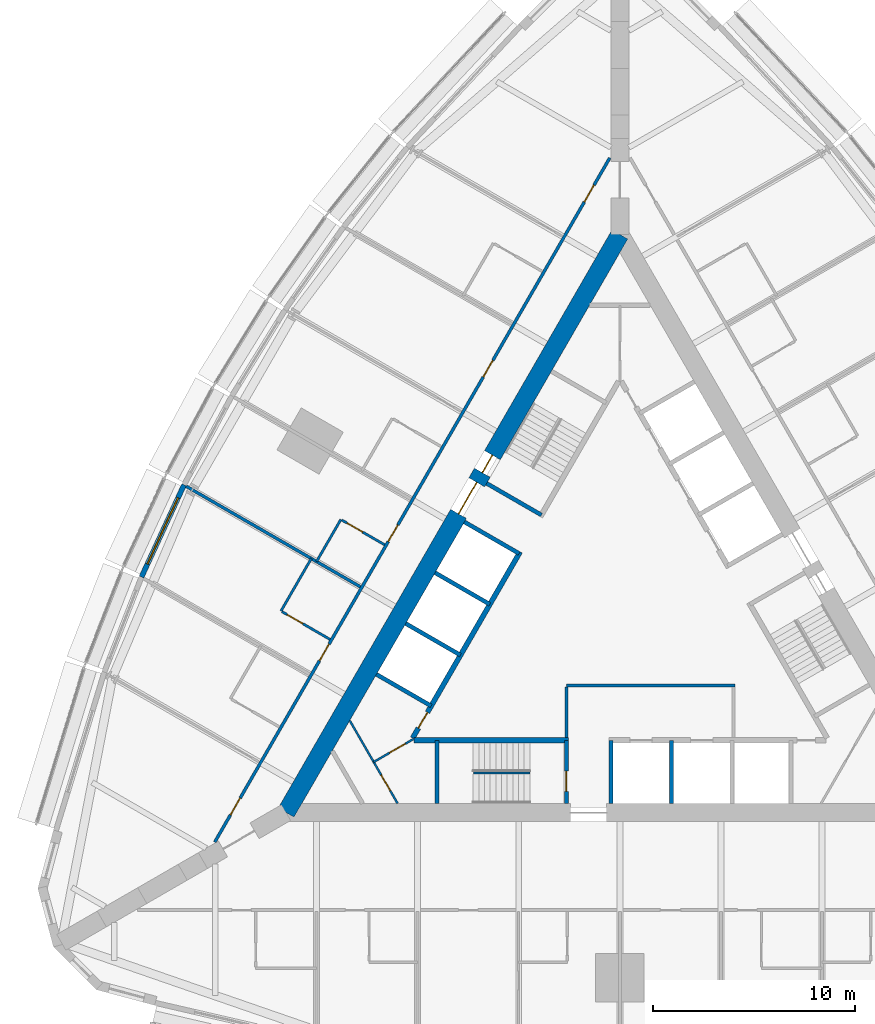
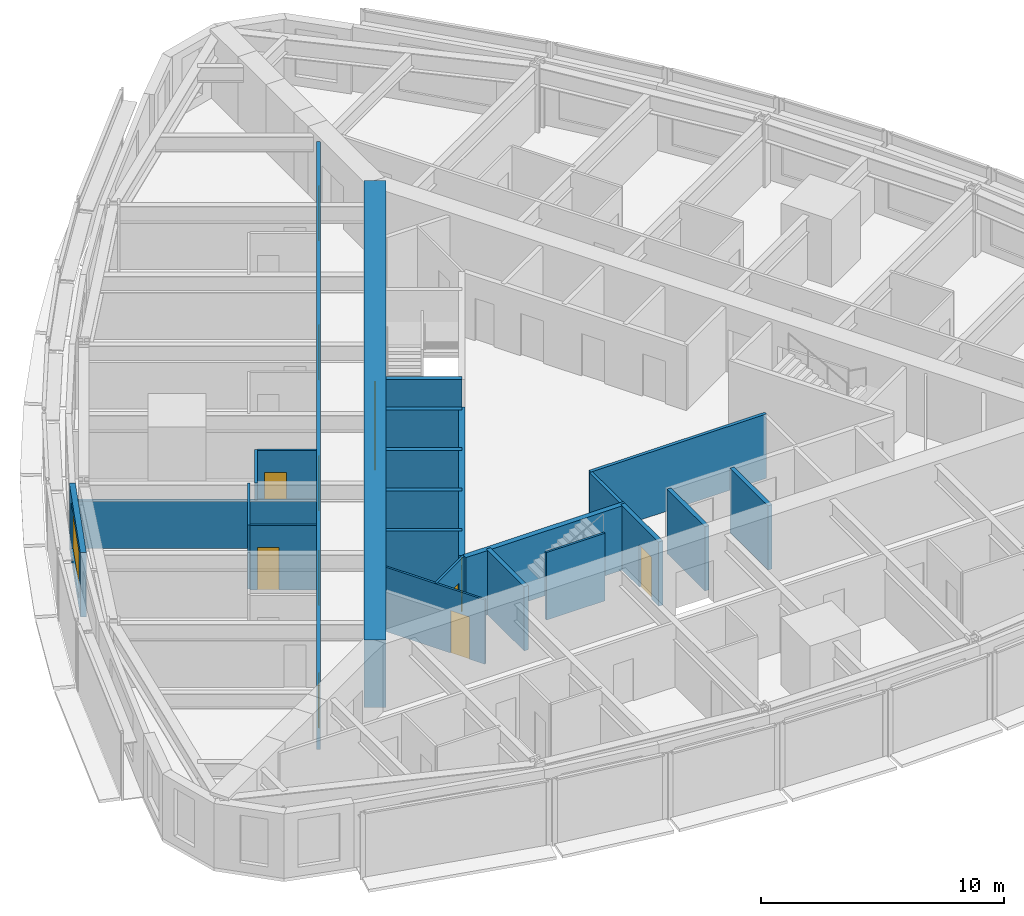
# One storey, part 9 of 14: 24 walls, 13 doors, 1 window, 14 openings.
"""IFC4 building model written with IfcOpenShell, lengths in metres."""

from ifc_helpers import new_model, si_unit, direction, frame, frame_2d, origin, place, context, subcontext, project, spatial, rectangle, extrude, material, layer, layer_set, type_object, element, fill, save


model = new_model("IFC4")

# Units and contexts
model_context = context("Model", 3, precision=1e-05, world=origin(), true_north=direction((0.0, 1.0)))
body_context = subcontext(model_context, "Body", "Model", "MODEL_VIEW")
ifc_project = project(units=[si_unit("LENGTHUNIT", "METRE"), si_unit("AREAUNIT", "SQUARE_METRE"), si_unit("VOLUMEUNIT", "CUBIC_METRE"), si_unit("PLANEANGLEUNIT", "RADIAN"), si_unit("MASSUNIT", "GRAM", prefix="KILO")], contexts=[model_context])

# Site, building, storey
site_placement = place(None, origin())
site = spatial("IfcSite", under=ifc_project, at=site_placement, CompositionType="ELEMENT")
building_placement = place(site_placement, origin())
building = spatial("IfcBuilding", under=site, at=building_placement, Name="Trikona Tower", CompositionType="ELEMENT")
storey_placement = place(building_placement, frame((0.0, 0.0, 69.300048828125)))
storey = spatial("IfcBuildingStorey", under=building, at=storey_placement, Name="L17", CompositionType="ELEMENT", Elevation=69.300048828125)

# Wall
ifc_material_1 = material(Name="Metal stud and cement board", Category="gypsum")
ifc_layer_1 = layer(ifc_material_1, 0.1201171875)
ifc_layer_set_1 = layer_set([ifc_layer_1], Name="Bathroom wall 120")
wall_type_1 = type_object("IfcWallType", Name="Bathroom wall 120", PredefinedType="PLUMBINGWALL", material=ifc_layer_set_1)
wall_1_placement = place(storey_placement, frame((-13.79345703125, 4.96142578125, 0.0), z_axis=(0.0, 0.0, 1.0), x_axis=(-0.500001309137, -0.866024647952, 0.0)))
element("IfcWall", 1, at=wall_1_placement, inside=storey, type_object=wall_type_1, Name="Bathroom wall 1714", PredefinedType="PLUMBINGWALL", context=body_context, shape_type="SweptSolid", body=[
    extrude(rectangle(XDim=2.39990234375, YDim=0.1201171875, at=frame_2d((1.199951171875, 0.0))), origin(), (0.0, 0.0, 1.0), 3.23486328125),
])

# Wall, opening, door
wall_2_placement = place(storey_placement, frame((-11.62841796875, 3.71142578125, 0.0), z_axis=(0.0, 0.0, 1.0), x_axis=(-0.866048967903, 0.499959183527, 0.0)))
wall_2 = element("IfcWall", 2, at=wall_2_placement, inside=storey, type_object=wall_type_1, Name="Bathroom wall 1714", PredefinedType="PLUMBINGWALL", context=body_context, shape_type="SweptSolid", body=[
    extrude(rectangle(XDim=2.440185546875, YDim=0.1201171875, at=frame_2d((1.22021484375, 0.0))), origin(), (0.0, 0.0, 1.0), 3.23486328125),
])
opening_1_placement = place(wall_2_placement, frame((1.25, 0.0, 0.0)))
opening_1 = element("IfcOpeningElement", 3, at=opening_1_placement, cuts=wall_2, Name="Opening D2", PredefinedType="OPENING", context=body_context, shape_type="SweptSolid", body=[
    extrude(rectangle(XDim=0.89990234375, YDim=2.1298828125, at=frame_2d((0.449951171875, 1.06494140625))), frame((0.0, 0.070068359375, 0.0), z_axis=(0.0, -1.0, 0.0), x_axis=(1.0, 0.0, 0.0)), (0.0, 0.0, 1.0), 0.14013671875),
])
ifc_material_2 = material(Name="Steel door frame with solid-core timber leaf", Category="steel")
door_type_1 = type_object("IfcDoorType", Name="Bathroom door 900x2130", OperationType="SLIDING_TO_LEFT", PredefinedType="DOOR", material=ifc_material_2)
door_1_placement = place(opening_1_placement, origin())
door_1 = element("IfcDoor", 4, at=door_1_placement, inside=storey, type_object=door_type_1, Name="Bathroom door 1714", OperationType="SLIDING_TO_LEFT", OverallHeight=2.1298828125, OverallWidth=0.89990234375, PredefinedType="DOOR", context=body_context, shape_type="SweptSolid", body=[
    extrude(rectangle(XDim=0.89990234375, YDim=2.1298828125, at=frame_2d((0.449951171875, 1.06494140625))), frame((0.0, 0.02490234375, 0.0), z_axis=(0.0, -1.0, 0.0), x_axis=(1.0, 0.0, 0.0)), (0.0, 0.0, 1.0), 0.050048828125),
])
fill(opening_1, door_1)

# Wall
wall_3_placement = place(storey_placement, frame((-15.25341796875, 3.032958984375, 0.0), z_axis=(0.0, 0.0, 1.0), x_axis=(-0.499990139034, -0.866031096941, 0.0)))
element("IfcWall", 5, at=wall_3_placement, inside=storey, type_object=wall_type_1, Name="Bathroom wall 1715", PredefinedType="PLUMBINGWALL", context=body_context, shape_type="SweptSolid", body=[
    extrude(rectangle(XDim=3.0, YDim=0.1201171875, at=frame_2d((1.5, 0.0))), origin(), (0.0, 0.0, 1.0), 3.23486328125),
])

# Wall, opening, door
wall_4_placement = place(storey_placement, frame((-14.32861328125, -0.965087890625, 0.0), z_axis=(0.0, 0.0, 1.0), x_axis=(-0.866035715982, 0.499982138324, 0.0)))
wall_4 = element("IfcWall", 6, at=wall_4_placement, inside=storey, type_object=wall_type_1, Name="Bathroom wall 1715", PredefinedType="PLUMBINGWALL", context=body_context, shape_type="SweptSolid", body=[
    extrude(rectangle(XDim=2.73974609375, YDim=0.1201171875, at=frame_2d((1.369873046875, 0.0))), origin(), (0.0, 0.0, 1.0), 3.23486328125),
])
opening_2_placement = place(wall_4_placement, frame((1.550048828125, 0.0, 0.0)))
opening_2 = element("IfcOpeningElement", 7, at=opening_2_placement, cuts=wall_4, Name="Opening D2", PredefinedType="OPENING", context=body_context, shape_type="SweptSolid", body=[
    extrude(rectangle(XDim=0.89990234375, YDim=2.1298828125, at=frame_2d((0.449951171875, 1.06494140625))), frame((0.0, 0.070068359375, 0.0), z_axis=(0.0, -1.0, 0.0), x_axis=(1.0, 0.0, 0.0)), (0.0, 0.0, 1.0), 0.14013671875),
])
door_2_placement = place(opening_2_placement, origin())
door_2 = element("IfcDoor", 8, at=door_2_placement, inside=storey, type_object=door_type_1, Name="Bathroom door 1715", OperationType="SLIDING_TO_LEFT", OverallHeight=2.1298828125, OverallWidth=0.89990234375, PredefinedType="DOOR", context=body_context, shape_type="SweptSolid", body=[
    extrude(rectangle(XDim=0.89990234375, YDim=2.1298828125, at=frame_2d((0.449951171875, 1.06494140625))), frame((0.0, 0.02490234375, 0.0), z_axis=(0.0, -1.0, 0.0), x_axis=(1.0, 0.0, 0.0)), (0.0, 0.0, 1.0), 0.050048828125),
])
fill(opening_2, door_2)

# Wall, openings, doors
ifc_material_3 = material(Name="Concrete f'c 10000 psi", Category="concrete")
ifc_layer_2 = layer(ifc_material_3, 0.89990234375)
ifc_layer_set_2 = layer_set([ifc_layer_2], Name="Core wall 900")
wall_type_2 = type_object("IfcWallType", Name="Core wall 900", PredefinedType="SHEAR", material=ifc_layer_set_2)
wall_5_placement = place(storey_placement, frame((0.0, 19.052490234375, 0.0), z_axis=(0.0, 0.0, 1.0), x_axis=(-0.499999749417, -0.866025548458, 0.0)))
wall_5 = element("IfcWall", 9, at=wall_5_placement, inside=storey, type_object=wall_type_2, Name="Core wall C", PredefinedType="SHEAR", context=body_context, shape_type="SweptSolid", body=[
    extrude(rectangle(XDim=33.0, YDim=0.89990234375, at=frame_2d((16.5, 0.0))), origin(), (0.0, 0.0, 1.0), 3.39990234375),
])
opening_3_placement = place(wall_5_placement, frame((14.14990234375, 0.0, 0.0)))
opening_3 = element("IfcOpeningElement", 10, at=opening_3_placement, cuts=wall_5, Name="Opening D6", PredefinedType="OPENING", context=body_context, shape_type="SweptSolid", body=[
    extrude(rectangle(XDim=1.800048828125, YDim=2.1298828125, at=frame_2d((0.89990234375, 1.06494140625))), frame((0.0, 0.4599609375, 0.0), z_axis=(0.0, -1.0, 0.0), x_axis=(1.0, 0.0, 0.0)), (0.0, 0.0, 1.0), 0.919921875),
])
opening_4_placement = place(wall_5_placement, frame((12.60009765625, 0.0, 0.0)))
opening_4 = element("IfcOpeningElement", 11, at=opening_4_placement, cuts=wall_5, Name="Opening D5", PredefinedType="OPENING", context=body_context, shape_type="SweptSolid", body=[
    extrude(rectangle(XDim=1.0, YDim=2.1298828125, at=frame_2d((0.5, 1.06494140625))), frame((0.0, 0.4599609375, 0.0), z_axis=(0.0, -1.0, 0.0), x_axis=(1.0, 0.0, 0.0)), (0.0, 0.0, 1.0), 0.919921875),
])
ifc_material_4 = material(Name="Hollow metal door and frame", Category="steel")
door_type_2 = type_object("IfcDoorType", Name="Lobby door pair 1800x2130", OperationType="DOUBLE_DOOR_SINGLE_SWING", PredefinedType="DOOR", material=ifc_material_4)
door_3_placement = place(opening_3_placement, origin())
door_3 = element("IfcDoor", 12, at=door_3_placement, inside=storey, type_object=door_type_2, Name="Lift lobby door C", OperationType="DOUBLE_DOOR_SINGLE_SWING", OverallHeight=2.1298828125, OverallWidth=1.800048828125, PredefinedType="DOOR", context=body_context, shape_type="SweptSolid", body=[
    extrude(rectangle(XDim=1.800048828125, YDim=2.1298828125, at=frame_2d((0.89990234375, 1.06494140625))), frame((0.0, 0.02490234375, 0.0), z_axis=(0.0, -1.0, 0.0), x_axis=(1.0, 0.0, 0.0)), (0.0, 0.0, 1.0), 0.050048828125),
])
fill(opening_3, door_3)
ifc_material_5 = material(Name="Hollow metal door and frame", Category="steel")
door_type_3 = type_object("IfcDoorType", Name="Stair door 1000x2130", OperationType="SINGLE_SWING_LEFT", PredefinedType="DOOR", material=ifc_material_5)
door_4_placement = place(opening_4_placement, origin())
door_4 = element("IfcDoor", 13, at=door_4_placement, inside=storey, type_object=door_type_3, Name="Stair C door", OperationType="SINGLE_SWING_RIGHT", OverallHeight=2.1298828125, OverallWidth=1.0, PredefinedType="DOOR", context=body_context, shape_type="SweptSolid", body=[
    extrude(rectangle(XDim=1.0, YDim=2.1298828125, at=frame_2d((0.5, 1.06494140625))), frame((0.0, 0.02490234375, 0.0), z_axis=(0.0, -1.0, 0.0), x_axis=(1.0, 0.0, 0.0)), (0.0, 0.0, 1.0), 0.050048828125),
])
fill(opening_4, door_4)

ifc_material_6 = material(Name="Metal stud and gypsum board, 1-hour", Category="gypsum")
ifc_layer_3 = layer(ifc_material_6, 0.14990234375)
ifc_layer_set_3 = layer_set([ifc_layer_3], Name="Corridor wall 150")
wall_type_3 = type_object("IfcWallType", Name="Corridor wall 150", PredefinedType="PARTITIONING", material=ifc_layer_set_3)
wall_6_placement = place(storey_placement, frame((-0.5, 22.83642578125, 0.0), z_axis=(0.0, 0.0, 1.0), x_axis=(-0.500001677587, -0.866024435227, 0.0)))
wall_6 = element("IfcWall", 14, at=wall_6_placement, inside=storey, type_object=wall_type_3, Name="Corridor wall L17-3", PredefinedType="PARTITIONING", context=body_context, shape_type="SweptSolid", body=[
    extrude(rectangle(XDim=39.053955078125, YDim=0.14990234375, at=frame_2d((19.52685546875, 0.0))), origin(), (0.0, 0.0, 1.0), 3.23486328125),
])
opening_5_placement = place(wall_6_placement, frame((1.558349609375, 0.0, 0.0)))
opening_5 = element("IfcOpeningElement", 15, at=opening_5_placement, cuts=wall_6, Name="Opening D1", PredefinedType="OPENING", context=body_context, shape_type="SweptSolid", body=[
    extrude(rectangle(XDim=0.949951171875, YDim=2.1298828125, at=frame_2d((0.47509765625, 1.06494140625))), frame((0.0, 0.0849609375, 0.0), z_axis=(0.0, -1.0, 0.0), x_axis=(1.0, 0.0, 0.0)), (0.0, 0.0, 1.0), 0.169921875),
])
opening_6_placement = place(wall_6_placement, frame((11.552001953125, 0.0, 0.0)))
opening_6 = element("IfcOpeningElement", 16, at=opening_6_placement, cuts=wall_6, Name="Opening D1", PredefinedType="OPENING", context=body_context, shape_type="SweptSolid", body=[
    extrude(rectangle(XDim=0.949951171875, YDim=2.1298828125, at=frame_2d((0.47509765625, 1.06494140625))), frame((0.0, 0.0849609375, 0.0), z_axis=(0.0, -1.0, 0.0), x_axis=(1.0, 0.0, 0.0)), (0.0, 0.0, 1.0), 0.169921875),
])
opening_7_placement = place(wall_6_placement, frame((20.951904296875, 0.0, 0.0)))
opening_7 = element("IfcOpeningElement", 17, at=opening_7_placement, cuts=wall_6, Name="Opening D1", PredefinedType="OPENING", context=body_context, shape_type="SweptSolid", body=[
    extrude(rectangle(XDim=0.949951171875, YDim=2.1298828125, at=frame_2d((0.47509765625, 1.06494140625))), frame((0.0, 0.0849609375, 0.0), z_axis=(0.0, -1.0, 0.0), x_axis=(1.0, 0.0, 0.0)), (0.0, 0.0, 1.0), 0.169921875),
])
opening_8_placement = place(wall_6_placement, frame((27.751953125, 0.0, 0.0)))
opening_8 = element("IfcOpeningElement", 18, at=opening_8_placement, cuts=wall_6, Name="Opening D1", PredefinedType="OPENING", context=body_context, shape_type="SweptSolid", body=[
    extrude(rectangle(XDim=0.949951171875, YDim=2.1298828125, at=frame_2d((0.47509765625, 1.06494140625))), frame((0.0, 0.0849609375, 0.0), z_axis=(0.0, -1.0, 0.0), x_axis=(1.0, 0.0, 0.0)), (0.0, 0.0, 1.0), 0.169921875),
])
opening_9_placement = place(wall_6_placement, frame((36.545654296875, 0.0, 0.0)))
opening_9 = element("IfcOpeningElement", 19, at=opening_9_placement, cuts=wall_6, Name="Opening D1", PredefinedType="OPENING", context=body_context, shape_type="SweptSolid", body=[
    extrude(rectangle(XDim=0.949951171875, YDim=2.1298828125, at=frame_2d((0.47509765625, 1.06494140625))), frame((0.0, 0.0849609375, 0.0), z_axis=(0.0, -1.0, 0.0), x_axis=(1.0, 0.0, 0.0)), (0.0, 0.0, 1.0), 0.169921875),
])
ifc_material_7 = material(Name="Steel door frame with solid-core timber leaf", Category="steel")
door_type_4 = type_object("IfcDoorType", Name="Guest room door 950x2130", OperationType="SINGLE_SWING_LEFT", PredefinedType="DOOR", material=ifc_material_7)
door_5_placement = place(opening_5_placement, origin())
door_5 = element("IfcDoor", 20, at=door_5_placement, inside=storey, type_object=door_type_4, Name="Room door 1712", OperationType="SINGLE_SWING_LEFT", OverallHeight=2.1298828125, OverallWidth=0.949951171875, PredefinedType="DOOR", context=body_context, shape_type="SweptSolid", body=[
    extrude(rectangle(XDim=0.949951171875, YDim=2.1298828125, at=frame_2d((0.47509765625, 1.06494140625))), frame((0.0, 0.02490234375, 0.0), z_axis=(0.0, -1.0, 0.0), x_axis=(1.0, 0.0, 0.0)), (0.0, 0.0, 1.0), 0.050048828125),
])
fill(opening_5, door_5)
door_6_placement = place(opening_6_placement, origin())
door_6 = element("IfcDoor", 21, at=door_6_placement, inside=storey, type_object=door_type_4, Name="Room door 1713", OperationType="SINGLE_SWING_RIGHT", OverallHeight=2.1298828125, OverallWidth=0.949951171875, PredefinedType="DOOR", context=body_context, shape_type="SweptSolid", body=[
    extrude(rectangle(XDim=0.949951171875, YDim=2.1298828125, at=frame_2d((0.47509765625, 1.06494140625))), frame((0.0, 0.02490234375, 0.0), z_axis=(0.0, -1.0, 0.0), x_axis=(1.0, 0.0, 0.0)), (0.0, 0.0, 1.0), 0.050048828125),
])
fill(opening_6, door_6)
door_7_placement = place(opening_7_placement, origin())
door_7 = element("IfcDoor", 22, at=door_7_placement, inside=storey, type_object=door_type_4, Name="Room door 1714", OperationType="SINGLE_SWING_LEFT", OverallHeight=2.1298828125, OverallWidth=0.949951171875, PredefinedType="DOOR", context=body_context, shape_type="SweptSolid", body=[
    extrude(rectangle(XDim=0.949951171875, YDim=2.1298828125, at=frame_2d((0.47509765625, 1.06494140625))), frame((0.0, 0.02490234375, 0.0), z_axis=(0.0, -1.0, 0.0), x_axis=(1.0, 0.0, 0.0)), (0.0, 0.0, 1.0), 0.050048828125),
])
fill(opening_7, door_7)
door_8_placement = place(opening_8_placement, origin())
door_8 = element("IfcDoor", 23, at=door_8_placement, inside=storey, type_object=door_type_4, Name="Room door 1715", OperationType="SINGLE_SWING_RIGHT", OverallHeight=2.1298828125, OverallWidth=0.949951171875, PredefinedType="DOOR", context=body_context, shape_type="SweptSolid", body=[
    extrude(rectangle(XDim=0.949951171875, YDim=2.1298828125, at=frame_2d((0.47509765625, 1.06494140625))), frame((0.0, 0.02490234375, 0.0), z_axis=(0.0, -1.0, 0.0), x_axis=(1.0, 0.0, 0.0)), (0.0, 0.0, 1.0), 0.050048828125),
])
fill(opening_8, door_8)
door_9_placement = place(opening_9_placement, origin())
door_9 = element("IfcDoor", 24, at=door_9_placement, inside=storey, type_object=door_type_4, Name="Room door 1716", OperationType="SINGLE_SWING_RIGHT", OverallHeight=2.1298828125, OverallWidth=0.949951171875, PredefinedType="DOOR", context=body_context, shape_type="SweptSolid", body=[
    extrude(rectangle(XDim=0.949951171875, YDim=2.1298828125, at=frame_2d((0.47509765625, 1.06494140625))), frame((0.0, 0.02490234375, 0.0), z_axis=(0.0, -1.0, 0.0), x_axis=(1.0, 0.0, 0.0)), (0.0, 0.0, 1.0), 0.050048828125),
])
fill(opening_9, door_9)

# Wall
ifc_material_8 = material(Name="Concrete f'c 8000 psi", Category="concrete")
ifc_layer_4 = layer(ifc_material_8, 0.25)
ifc_layer_set_4 = layer_set([ifc_layer_4], Name="Hub wall 250")
wall_type_4 = type_object("IfcWallType", Name="Hub wall 250", PredefinedType="SOLIDWALL", material=ifc_layer_set_4)
wall_7_placement = place(storey_placement, frame((-10.182861328125, -5.951416015625, 0.0), z_axis=(0.0, 0.0, 1.0), x_axis=(1.0, 0.0, 0.0)))
element("IfcWall", 25, at=wall_7_placement, inside=storey, type_object=wall_type_4, Name="Lift lobby wall A1", PredefinedType="SOLIDWALL", context=body_context, shape_type="SweptSolid", body=[
    extrude(rectangle(XDim=7.6328125, YDim=0.25, at=frame_2d((3.81640625, 0.0))), origin(), (0.0, 0.0, 1.0), 3.23486328125),
])

# Wall, opening, door
wall_8_placement = place(storey_placement, frame((-4.928955078125, 3.365478515625, 0.0), z_axis=(0.0, 0.0, 1.0), x_axis=(-0.499991433582, -0.866030349552, 0.0)))
wall_8 = element("IfcWall", 26, at=wall_8_placement, inside=storey, type_object=wall_type_4, Name="Lift lobby wall C2", PredefinedType="SOLIDWALL", context=body_context, shape_type="SweptSolid", body=[
    extrude(rectangle(XDim=10.633056640625, YDim=0.25, at=frame_2d((5.31640625, 0.0))), origin(), (0.0, 0.0, 1.0), 3.23486328125),
])
opening_10_placement = place(wall_8_placement, frame((9.1640625, 0.0, 0.0)))
opening_10 = element("IfcOpeningElement", 27, at=opening_10_placement, cuts=wall_8, Name="Opening D14", PredefinedType="OPENING", context=body_context, shape_type="SweptSolid", body=[
    extrude(rectangle(XDim=0.89990234375, YDim=2.1298828125, at=frame_2d((0.449951171875, 1.06494140625))), frame((0.0, 0.135009765625, 0.0), z_axis=(0.0, -1.0, 0.0), x_axis=(1.0, 0.0, 0.0)), (0.0, 0.0, 1.0), 0.27001953125),
])
ifc_material_9 = material(Name="Hollow metal door and frame", Category="steel")
door_type_5 = type_object("IfcDoorType", Name="Service room door 900x2130", OperationType="SINGLE_SWING_LEFT", PredefinedType="DOOR", material=ifc_material_9)
door_10_placement = place(opening_10_placement, origin())
door_10 = element("IfcDoor", 28, at=door_10_placement, inside=storey, type_object=door_type_5, Name="Door Linen store LIN", OperationType="SINGLE_SWING_RIGHT", OverallHeight=2.1298828125, OverallWidth=0.89990234375, PredefinedType="DOOR", context=body_context, shape_type="SweptSolid", body=[
    extrude(rectangle(XDim=0.89990234375, YDim=2.1298828125, at=frame_2d((0.449951171875, 1.06494140625))), frame((0.0, 0.02490234375, 0.0), z_axis=(0.0, -1.0, 0.0), x_axis=(1.0, 0.0, 0.0)), (0.0, 0.0, 1.0), 0.050048828125),
])
fill(opening_10, door_10)

# Wall, opening, window
ifc_material_10 = material(Name="Insulated precast concrete spandrel panel", Category="concrete")
ifc_layer_5 = layer(ifc_material_10, 0.25)
ifc_layer_set_5 = layer_set([ifc_layer_5], Name="Inner skin wall 250")
wall_type_5 = type_object("IfcWallType", Name="Inner skin wall 250", PredefinedType="STANDARD", material=ifc_layer_set_5)
wall_9_placement = place(storey_placement, frame((-21.543212890625, 6.677734375, 0.0), z_axis=(0.0, 0.0, 1.0), x_axis=(-0.419203100754, -0.907892482796, 0.0)))
wall_9 = element("IfcWall", 29, at=wall_9_placement, inside=storey, type_object=wall_type_5, Name="External wall L17-29", PredefinedType="STANDARD", context=body_context, shape_type="SweptSolid", body=[
    extrude(rectangle(XDim=5.020751953125, YDim=0.25, at=frame_2d((2.51025390625, 0.0))), origin(), (0.0, 0.0, 1.0), 3.23486328125),
])
opening_11_placement = place(wall_9_placement, frame((0.71044921875, 0.0, 0.449951171875)))
opening_11 = element("IfcOpeningElement", 30, at=opening_11_placement, cuts=wall_9, Name="Opening W3624", PredefinedType="OPENING", context=body_context, shape_type="SweptSolid", body=[
    extrude(rectangle(XDim=3.60009765625, YDim=2.39990234375, at=frame_2d((1.800048828125, 1.199951171875))), frame((0.0, 0.135009765625, 0.0), z_axis=(0.0, -1.0, 0.0), x_axis=(1.0, 0.0, 0.0)), (0.0, 0.0, 1.0), 0.27001953125),
])
ifc_material_11 = material(Name="Aluminium-framed double glazing", Category="aluminium")
window_type = type_object("IfcWindowType", Name="Window 3600x2400", PartitioningType="SINGLE_PANEL", PredefinedType="WINDOW", material=ifc_material_11)
window_placement = place(opening_11_placement, origin())
window = element("IfcWindow", 31, at=window_placement, inside=storey, type_object=window_type, Name="Window 1715", OverallHeight=2.39990234375, OverallWidth=3.60009765625, PartitioningType="SINGLE_PANEL", PredefinedType="WINDOW", context=body_context, shape_type="SweptSolid", body=[
    extrude(rectangle(XDim=3.60009765625, YDim=2.39990234375, at=frame_2d((1.800048828125, 1.199951171875))), frame((0.0, 0.030029296875, 0.0), z_axis=(0.0, -1.0, 0.0), x_axis=(1.0, 0.0, 0.0)), (0.0, 0.0, 1.0), 0.06005859375),
])
fill(opening_11, window)

# Walls
ifc_material_12 = material(Name="Metal stud and gypsum board, 2-hour shaft wall", Category="gypsum")
ifc_layer_6 = layer(ifc_material_12, 0.14990234375)
ifc_layer_set_6 = layer_set([ifc_layer_6], Name="Lobby wall 150")
wall_type_6 = type_object("IfcWallType", Name="Lobby wall 150", PredefinedType="PARTITIONING", material=ifc_layer_set_6)
wall_10_placement = place(storey_placement, frame((-2.64990234375, -3.251220703125, 0.0), z_axis=(0.0, 0.0, 1.0), x_axis=(1.0, 0.0, 0.0)))
element("IfcWall", 32, at=wall_10_placement, inside=storey, type_object=wall_type_6, Name="Fire service lift lobby wall 1", PredefinedType="PARTITIONING", context=body_context, shape_type="SweptSolid", body=[
    extrude(rectangle(XDim=8.349853515625, YDim=0.14990234375, at=frame_2d((4.1748046875, 0.0))), origin(), (0.0, 0.0, 1.0), 3.23486328125),
])
wall_11_placement = place(storey_placement, frame((-2.64990234375, -5.826416015625, 0.0), z_axis=(0.0, 0.0, 1.0), x_axis=(0.0, 1.0, 0.0)))
element("IfcWall", 33, at=wall_11_placement, inside=storey, type_object=wall_type_6, Name="Fire service lift lobby wall 2", PredefinedType="PARTITIONING", context=body_context, shape_type="SweptSolid", body=[
    extrude(rectangle(XDim=2.5, YDim=0.14990234375, at=frame_2d((1.25, 0.0))), origin(), (0.0, 0.0, 1.0), 3.23486328125),
])
ifc_material_13 = material(Name="Metal stud and gypsum board, 1-hour acoustic", Category="gypsum")
ifc_layer_7 = layer(ifc_material_13, 0.14990234375)
ifc_layer_set_7 = layer_set([ifc_layer_7], Name="Party wall 150")
wall_type_7 = type_object("IfcWallType", Name="Party wall 150", PredefinedType="PARTITIONING", material=ifc_layer_set_7)
wall_12_placement = place(storey_placement, frame((-12.82861328125, 1.633056640625, 0.0), z_axis=(0.0, 0.0, 1.0), x_axis=(-0.866026934769, 0.499997348248, 0.0)))
element("IfcWall", 34, at=wall_12_placement, inside=storey, type_object=wall_type_7, Name="Partition L17 F3 u5", PredefinedType="PARTITIONING", context=body_context, shape_type="SweptSolid", body=[
    extrude(rectangle(XDim=9.94287109375, YDim=0.14990234375, at=frame_2d((4.971435546875, 0.0))), origin(), (0.0, 0.0, 1.0), 2.38916015625),
])
ifc_material_14 = material(Name="Concrete f'c 8000 psi", Category="concrete")
ifc_layer_8 = layer(ifc_material_14, 0.199951171875)
ifc_layer_set_8 = layer_set([ifc_layer_8], Name="Shaft wall 200")
wall_type_8 = type_object("IfcWallType", Name="Shaft wall 200", PredefinedType="SOLIDWALL", material=ifc_layer_set_8)
for number, where, z_axis, x_axis, name in (
    (35, (-0.449951171875, -5.951416015625, 0.0), (0.0, 0.0, 1.0), (0.0, -1.0, 0.0), "Shaft wall A3"),
    (36, (2.550048828125, -5.951416015625, 0.0), (0.0, 0.0, 1.0), (0.0, -1.0, 0.0), "Shaft wall A4"),
    (37, (-4.97900390625, 3.27880859375, 0.0), (0.0, 0.0, 1.0), (-0.866022959057, 0.500004234368, 0.0), "Shaft wall C3"),
    (38, (-6.428955078125, 0.767333984375, 0.0), (0.0, 0.0, 1.0), (-0.866022959057, 0.500004234368, 0.0), "Shaft wall C4"),
    (39, (-7.87890625, -1.744140625, 0.0), (0.0, 0.0, 1.0), (-0.866022959057, 0.500004234368, 0.0), "Shaft wall C5"),
    (40, (-9.3291015625, -4.255615234375, 0.0), (0.0, 0.0, 1.0), (-0.866022959057, 0.500004234368, 0.0), "Shaft wall C6"),
):
    element("IfcWall", number, at=place(storey_placement, frame(where, z_axis=z_axis, x_axis=x_axis)), inside=storey, type_object=wall_type_8, Name=name, PredefinedType="SOLIDWALL", context=body_context, shape_type="SweptSolid", body=[
        extrude(rectangle(XDim=3.125, YDim=0.199951171875, at=frame_2d((1.5625, 0.0))), origin(), (0.0, 0.0, 1.0), 3.23486328125),
    ])
ifc_material_15 = material(Name="Concrete f'c 8000 psi", Category="concrete")
ifc_layer_9 = layer(ifc_material_15, 0.199951171875)
ifc_layer_set_9 = layer_set([ifc_layer_9], Name="Shaft wall 200 load-bearing")
wall_type_9 = type_object("IfcWallType", Name="Shaft wall 200 load-bearing", PredefinedType="SOLIDWALL", material=ifc_layer_set_9)
wall_13_placement = place(storey_placement, frame((-9.050048828125, -5.951416015625, 0.0), z_axis=(0.0, 0.0, 1.0), x_axis=(0.0, -1.0, 0.0)))
element("IfcWall", 41, at=wall_13_placement, inside=storey, type_object=wall_type_9, Name="Shaft wall A1", PredefinedType="SOLIDWALL", context=body_context, shape_type="SweptSolid", body=[
    extrude(rectangle(XDim=3.125, YDim=0.199951171875, at=frame_2d((1.5625, 0.0))), origin(), (0.0, 0.0, 1.0), 3.23486328125),
])

# Wall, opening, door
wall_14_placement = place(storey_placement, frame((-2.64990234375, -5.951416015625, 0.0), z_axis=(0.0, 0.0, 1.0), x_axis=(0.0, -1.0, 0.0)))
wall_14 = element("IfcWall", 42, at=wall_14_placement, inside=storey, type_object=wall_type_9, Name="Shaft wall A2", PredefinedType="SOLIDWALL", context=body_context, shape_type="SweptSolid", body=[
    extrude(rectangle(XDim=3.125, YDim=0.199951171875, at=frame_2d((1.5625, 0.0))), origin(), (0.0, 0.0, 1.0), 3.23486328125),
])
opening_12_placement = place(wall_14_placement, frame((1.52490234375, 0.0, 0.0)))
opening_12 = element("IfcOpeningElement", 43, at=opening_12_placement, cuts=wall_14, Name="Opening D5", PredefinedType="OPENING", context=body_context, shape_type="SweptSolid", body=[
    extrude(rectangle(XDim=1.0, YDim=2.1298828125, at=frame_2d((0.5, 1.06494140625))), frame((0.0, 0.10986328125, 0.0), z_axis=(0.0, -1.0, 0.0), x_axis=(1.0, 0.0, 0.0)), (0.0, 0.0, 1.0), 0.219970703125),
])
door_11_placement = place(opening_12_placement, origin())
door_11 = element("IfcDoor", 44, at=door_11_placement, inside=storey, type_object=door_type_3, Name="Stair A door", OperationType="SINGLE_SWING_RIGHT", OverallHeight=2.1298828125, OverallWidth=1.0, PredefinedType="DOOR", context=body_context, shape_type="SweptSolid", body=[
    extrude(rectangle(XDim=1.0, YDim=2.1298828125, at=frame_2d((0.5, 1.06494140625))), frame((0.0, 0.02490234375, 0.0), z_axis=(0.0, -1.0, 0.0), x_axis=(1.0, 0.0, 0.0)), (0.0, 0.0, 1.0), 0.050048828125),
])
fill(opening_12, door_11)

# Walls
wall_15_placement = place(storey_placement, frame((-3.87890625, 5.18408203125, 0.0), z_axis=(0.0, 0.0, 1.0), x_axis=(-0.866022959057, 0.500004234368, 0.0)))
element("IfcWall", 45, at=wall_15_placement, inside=storey, type_object=wall_type_9, Name="Shaft wall C2", PredefinedType="SOLIDWALL", context=body_context, shape_type="SweptSolid", body=[
    extrude(rectangle(XDim=3.125, YDim=0.199951171875, at=frame_2d((1.5625, 0.0))), origin(), (0.0, 0.0, 1.0), 3.23486328125),
])
ifc_material_16 = material(Name="Concrete f'c 5000 psi", Category="concrete")
ifc_layer_10 = layer(ifc_material_16, 0.10009765625)
ifc_layer_set_10 = layer_set([ifc_layer_10], Name="Stair spine wall 100")
wall_type_10 = type_object("IfcWallType", Name="Stair spine wall 100", PredefinedType="SOLIDWALL", material=ifc_layer_set_10)
wall_16_placement = place(storey_placement, frame((-7.2470703125, -7.576416015625, 0.0), z_axis=(0.0, 0.0, 1.0), x_axis=(1.0, 0.0, 0.0)))
element("IfcWall", 46, at=wall_16_placement, inside=storey, type_object=wall_type_10, Name="Stair A spine wall L17", PredefinedType="SOLIDWALL", context=body_context, shape_type="SweptSolid", body=[
    extrude(rectangle(XDim=2.794189453125, YDim=0.10009765625, at=frame_2d((1.39697265625, 0.0))), origin(), (0.0, 0.0, 1.0), 3.39990234375),
])

# Wall, opening, door
ifc_material_17 = material(Name="Metal stud and gypsum board, acoustic", Category="gypsum")
ifc_layer_11 = layer(ifc_material_17, 0.10009765625)
ifc_layer_set_11 = layer_set([ifc_layer_11], Name="Suite partition 100")
wall_type_11 = type_object("IfcWallType", Name="Suite partition 100", PredefinedType="PARTITIONING", material=ifc_layer_set_11)
wall_17_placement = place(storey_placement, frame((-10.986328125, -9.076416015625, 0.0), z_axis=(0.0, 0.0, 1.0), x_axis=(-0.499999210213, 0.866025859768, 0.0)))
wall_17 = element("IfcWall", 47, at=wall_17_placement, inside=storey, type_object=wall_type_11, Name="Store partition L17-RS3", PredefinedType="PARTITIONING", context=body_context, shape_type="SweptSolid", body=[
    extrude(rectangle(XDim=4.734375, YDim=0.10009765625, at=frame_2d((2.3671875, 0.0))), origin(), (0.0, 0.0, 1.0), 3.23486328125),
])
opening_13_placement = place(wall_17_placement, frame((0.733642578125, 0.0, 0.0)))
opening_13 = element("IfcOpeningElement", 48, at=opening_13_placement, cuts=wall_17, Name="Opening D15", PredefinedType="OPENING", context=body_context, shape_type="SweptSolid", body=[
    extrude(rectangle(XDim=0.89990234375, YDim=2.1298828125, at=frame_2d((0.449951171875, 1.06494140625))), frame((0.0, 0.06005859375, 0.0), z_axis=(0.0, -1.0, 0.0), x_axis=(1.0, 0.0, 0.0)), (0.0, 0.0, 1.0), 0.1201171875),
])
ifc_material_18 = material(Name="Steel door frame with solid-core timber leaf", Category="steel")
door_type_6 = type_object("IfcDoorType", Name="Store door 900x2130", OperationType="SINGLE_SWING_LEFT", PredefinedType="DOOR", material=ifc_material_18)
door_12_placement = place(opening_13_placement, origin())
door_12 = element("IfcDoor", 49, at=door_12_placement, inside=storey, type_object=door_type_6, Name="Door Amenity store AMS", OperationType="SINGLE_SWING_LEFT", OverallHeight=2.1298828125, OverallWidth=0.89990234375, PredefinedType="DOOR", context=body_context, shape_type="SweptSolid", body=[
    extrude(rectangle(XDim=0.89990234375, YDim=2.1298828125, at=frame_2d((0.449951171875, 1.06494140625))), frame((0.0, 0.02490234375, 0.0), z_axis=(0.0, -1.0, 0.0), x_axis=(1.0, 0.0, 0.0)), (0.0, 0.0, 1.0), 0.050048828125),
])
fill(opening_13, door_12)

wall_18_placement = place(storey_placement, frame((-12.169921875, -7.0263671875, 0.0), z_axis=(0.0, 0.0, 1.0), x_axis=(0.866015833478, 0.50001657589, 0.0)))
wall_18 = element("IfcWall", 50, at=wall_18_placement, inside=storey, type_object=wall_type_11, Name="Store partition L17-RS3", PredefinedType="PARTITIONING", context=body_context, shape_type="SweptSolid", body=[
    extrude(rectangle(XDim=2.275390625, YDim=0.10009765625, at=frame_2d((1.1376953125, 0.0))), origin(), (0.0, 0.0, 1.0), 3.23486328125),
])
opening_14_placement = place(wall_18_placement, frame((0.9150390625, 0.0, 0.0)))
opening_14 = element("IfcOpeningElement", 51, at=opening_14_placement, cuts=wall_18, Name="Opening D15", PredefinedType="OPENING", context=body_context, shape_type="SweptSolid", body=[
    extrude(rectangle(XDim=0.89990234375, YDim=2.1298828125, at=frame_2d((0.449951171875, 1.06494140625))), frame((0.0, 0.06005859375, 0.0), z_axis=(0.0, -1.0, 0.0), x_axis=(1.0, 0.0, 0.0)), (0.0, 0.0, 1.0), 0.1201171875),
])
door_13_placement = place(opening_14_placement, origin())
door_13 = element("IfcDoor", 52, at=door_13_placement, inside=storey, type_object=door_type_6, Name="Door Uniform store UNF", OperationType="SINGLE_SWING_RIGHT", OverallHeight=2.1298828125, OverallWidth=0.89990234375, PredefinedType="DOOR", context=body_context, shape_type="SweptSolid", body=[
    extrude(rectangle(XDim=0.89990234375, YDim=2.1298828125, at=frame_2d((0.449951171875, 1.06494140625))), frame((0.0, 0.02490234375, 0.0), z_axis=(0.0, -1.0, 0.0), x_axis=(1.0, 0.0, 0.0)), (0.0, 0.0, 1.0), 0.050048828125),
])
fill(opening_14, door_13)

save(model, "model.ifc")
